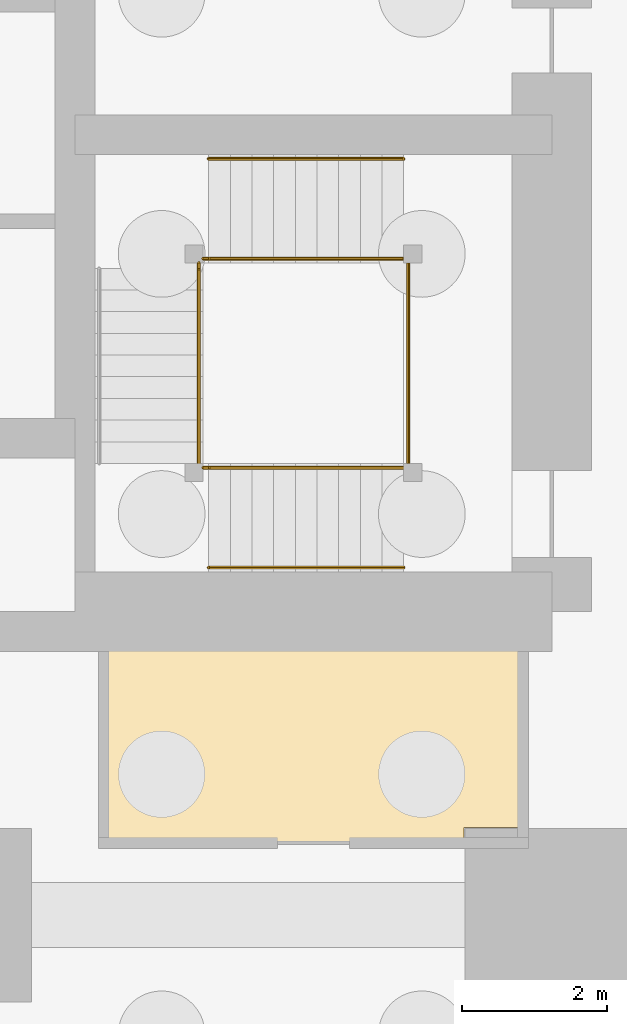
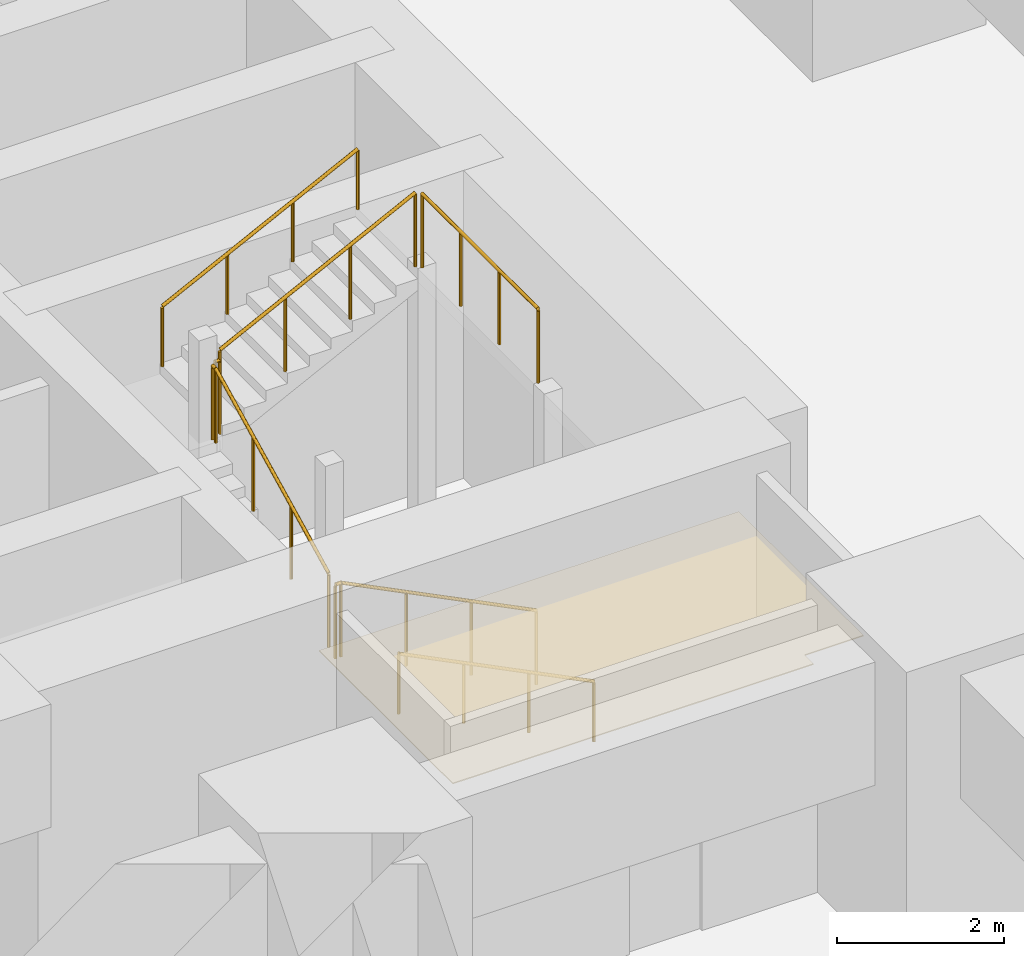
# One storey, part 15 of 28: 9 railings, 1 covering.
"""IFC4 building model written with IfcOpenShell, lengths in metres."""

from ifc_helpers import new_model, si_unit, direction, frame, origin, origin_2d, place, context, subcontext, project, spatial, polyline, circle, outline, extrude, material, layer, layer_set, type_object, element, save


model = new_model("IFC4")

# Units and contexts
model_context = context("Model", 3, precision=1e-05, world=origin(), true_north=direction((0.0, 1.0)))
body_context = subcontext(model_context, "Body", "Model", "MODEL_VIEW")
ifc_project = project(units=[si_unit("LENGTHUNIT", "METRE"), si_unit("AREAUNIT", "SQUARE_METRE"), si_unit("VOLUMEUNIT", "CUBIC_METRE"), si_unit("PLANEANGLEUNIT", "RADIAN"), si_unit("MASSUNIT", "GRAM", prefix="KILO")], contexts=[model_context])

# Site, building, storey
site_placement = place(None, origin())
site = spatial("IfcSite", under=ifc_project, at=site_placement, CompositionType="ELEMENT")
building_placement = place(site_placement, origin())
building = spatial("IfcBuilding", under=site, at=building_placement, Name="Rekha Terrace Tower", CompositionType="ELEMENT")
storey_placement = place(building_placement, frame((0.0, 0.0, -9.89990234375)))
storey = spatial("IfcBuildingStorey", under=building, at=storey_placement, Name="B-02", CompositionType="ELEMENT", Elevation=-9.89990234375)

# Covering
ifc_material_1 = material(Name="Fibre cement board", Category="finish")
ifc_layer = layer(ifc_material_1, 0.014892578125)
ifc_layer_set = layer_set([ifc_layer], Name="Fibre cement board")
covering_type = type_object("IfcCoveringType", Name="CL2 moisture-resistant board ceiling", PredefinedType="CEILING", material=ifc_layer_set)
covering_placement = place(storey_placement, frame((0.0, 0.0, 3.284912109375)))
element("IfcCovering", 1, at=covering_placement, inside=storey, type_object=covering_type, Name="Ceiling B-02-WCM2", PredefinedType="CEILING", context=body_context, shape_type="SweptSolid", body=[
    extrude(outline(polyline([(50.0, 21.0), (44.199951171875, 21.0), (44.199951171875, 17.800048828125), (49.18505859375, 17.800048828125), (49.18505859375, 18.014892578125), (50.0, 18.014892578125), (50.0, 21.0)])), origin(), (0.0, 0.0, 1.0), 0.014892578125),
])

# Railings
ifc_material_2 = material(Name="Stainless steel balustrade", Category="steel")
railing_type_1 = type_object("IfcRailingType", Name="GR1 1100 stair guard", PredefinedType="GUARDRAIL", material=ifc_material_2)
railing_1_placement = place(storey_placement, frame((48.35009765625, 22.989990234375, 0.14990234375)))
element("IfcRailing", 2, at=railing_1_placement, inside=storey, type_object=railing_type_1, Name="Guard ST3 B-02 flight 1", PredefinedType="GUARDRAIL", context=body_context, shape_type="SweptSolid", body=[
    extrude(circle(Radius=0.02392578125, at=origin_2d()), frame((0.0, 0.0, 1.076171875), z_axis=(-0.894427191, 0.0, 0.4472135955), x_axis=(0.0, -1.0, 0.0)), (0.0, 0.0, 1.0), 3.018798828125),
    extrude(circle(Radius=0.02099609375, at=origin_2d()), origin(), (0.0, 0.0, 1.0), 1.052001953125),
    extrude(circle(Radius=0.02099609375, at=origin_2d()), frame((-0.900146484375, 0.0, 0.449951171875)), (0.0, 0.0, 1.0), 1.052001953125),
    extrude(circle(Radius=0.02099609375, at=origin_2d()), frame((-1.800048828125, 0.0, 0.900146484375)), (0.0, 0.0, 1.0), 1.052001953125),
    extrude(circle(Radius=0.02099609375, at=origin_2d()), frame((-2.7001953125, 0.0, 1.35009765625)), (0.0, 0.0, 1.0), 1.052001953125),
])
railing_2_placement = place(storey_placement, frame((45.514892578125, 23.050048828125, 1.64990234375)))
element("IfcRailing", 3, at=railing_2_placement, inside=storey, type_object=railing_type_1, Name="Guard ST3 B-02 flight 2", PredefinedType="GUARDRAIL", context=body_context, shape_type="SweptSolid", body=[
    extrude(circle(Radius=0.02392578125, at=origin_2d()), frame((0.0, 0.0, 1.076171875), z_axis=(0.0, 0.894411015155, 0.447245945728), x_axis=(-1.0, 0.0, 0.0)), (0.0, 0.0, 1.0), 3.018798828125),
    extrude(circle(Radius=0.02099609375, at=origin_2d()), origin(), (0.0, 0.0, 1.0), 1.052001953125),
    extrude(circle(Radius=0.02099609375, at=origin_2d()), frame((0.0, 0.89990234375, 0.449951171875)), (0.0, 0.0, 1.0), 1.052001953125),
    extrude(circle(Radius=0.02099609375, at=origin_2d()), frame((0.0, 1.800048828125, 0.900146484375)), (0.0, 0.0, 1.0), 1.052001953125),
    extrude(circle(Radius=0.02099609375, at=origin_2d()), frame((0.0, 2.699951171875, 1.35009765625)), (0.0, 0.0, 1.0), 1.052001953125),
])
railing_3_placement = place(storey_placement, frame((45.64990234375, 25.885009765625, 3.14990234375)))
element("IfcRailing", 4, at=railing_3_placement, inside=storey, type_object=railing_type_1, Name="Guard ST3 B-02 flight 3", PredefinedType="GUARDRAIL", context=body_context, shape_type="SweptSolid", body=[
    extrude(circle(Radius=0.02392578125, at=origin_2d()), frame((0.0, 0.0, 1.076171875), z_axis=(0.894427191, 0.0, 0.4472135955), x_axis=(0.0, 1.0, 0.0)), (0.0, 0.0, 1.0), 3.018798828125),
    extrude(circle(Radius=0.02099609375, at=origin_2d()), origin(), (0.0, 0.0, 1.0), 1.052001953125),
    extrude(circle(Radius=0.02099609375, at=origin_2d()), frame((0.900146484375, 0.0, 0.449951171875)), (0.0, 0.0, 1.0), 1.052001953125),
    extrude(circle(Radius=0.02099609375, at=origin_2d()), frame((1.800048828125, 0.0, 0.900146484375)), (0.0, 0.0, 1.0), 1.052001953125),
    extrude(circle(Radius=0.02099609375, at=origin_2d()), frame((2.7001953125, 0.0, 1.35009765625)), (0.0, 0.0, 1.0), 1.052001953125),
])
railing_4_placement = place(storey_placement, frame((45.64990234375, 22.989990234375, 1.5)))
element("IfcRailing", 5, at=railing_4_placement, inside=storey, type_object=railing_type_1, Name="Guard ST3 B-02 landing 1", PredefinedType="GUARDRAIL", context=body_context, shape_type="SweptSolid", body=[
    extrude(circle(Radius=0.02392578125, at=origin_2d()), frame((0.0, 0.0, 1.076171875), z_axis=(-1.0, 0.0, 0.0), x_axis=(0.0, -1.0, 0.0)), (0.0, 0.0, 1.0), 0.074951171875),
    extrude(circle(Radius=0.02099609375, at=origin_2d()), origin(), (0.0, 0.0, 1.0), 1.052001953125),
    extrude(circle(Radius=0.02099609375, at=origin_2d()), frame((-0.074951171875, 0.0, 0.0)), (0.0, 0.0, 1.0), 1.052001953125),
])
railing_5_placement = place(storey_placement, frame((45.514892578125, 25.75, 3.0)))
element("IfcRailing", 6, at=railing_5_placement, inside=storey, type_object=railing_type_1, Name="Guard ST3 B-02 landing 2", PredefinedType="GUARDRAIL", context=body_context, shape_type="SweptSolid", body=[
    extrude(circle(Radius=0.02392578125, at=origin_2d()), frame((0.0, 0.0, 1.076171875), z_axis=(0.0, 1.0, 0.0), x_axis=(-1.0, 0.0, 0.0)), (0.0, 0.0, 1.0), 0.074951171875),
    extrude(circle(Radius=0.02099609375, at=origin_2d()), origin(), (0.0, 0.0, 1.0), 1.052001953125),
    extrude(circle(Radius=0.02099609375, at=origin_2d()), frame((0.0, 0.074951171875, 0.0)), (0.0, 0.0, 1.0), 1.052001953125),
])
railing_6_placement = place(storey_placement, frame((45.64990234375, 25.885009765625, 3.0)))
element("IfcRailing", 7, at=railing_6_placement, inside=storey, type_object=railing_type_1, Name="Guard ST3 B-02 landing 3", PredefinedType="GUARDRAIL", context=body_context, shape_type="SweptSolid", body=[
    extrude(circle(Radius=0.02392578125, at=origin_2d()), frame((0.0, 0.0, 1.076171875), z_axis=(-1.0, 0.0, 0.0), x_axis=(0.0, -1.0, 0.0)), (0.0, 0.0, 1.0), 0.074951171875),
    extrude(circle(Radius=0.02099609375, at=origin_2d()), origin(), (0.0, 0.0, 1.0), 1.052001953125),
    extrude(circle(Radius=0.02099609375, at=origin_2d()), frame((-0.074951171875, 0.0, 0.0)), (0.0, 0.0, 1.0), 1.052001953125),
])
railing_7_placement = place(storey_placement, frame((48.409912109375, 23.050048828125, 4.5)))
element("IfcRailing", 8, at=railing_7_placement, inside=storey, type_object=railing_type_1, Name="Guard ST3 B-02 landing 4", PredefinedType="GUARDRAIL", context=body_context, shape_type="SweptSolid", body=[
    extrude(circle(Radius=0.02392578125, at=origin_2d()), frame((0.0, 0.0, 1.076171875), z_axis=(0.0, 1.0, 0.0), x_axis=(-1.0, 0.0, 0.0)), (0.0, 0.0, 1.0), 2.77490234375),
    extrude(circle(Radius=0.02099609375, at=origin_2d()), origin(), (0.0, 0.0, 1.0), 1.052001953125),
    extrude(circle(Radius=0.02099609375, at=origin_2d()), frame((0.0, 0.925048828125, 0.0)), (0.0, 0.0, 1.0), 1.052001953125),
    extrude(circle(Radius=0.02099609375, at=origin_2d()), frame((0.0, 1.849853515625, 0.0)), (0.0, 0.0, 1.0), 1.052001953125),
    extrude(circle(Radius=0.02099609375, at=origin_2d()), frame((0.0, 2.77490234375, 0.0)), (0.0, 0.0, 1.0), 1.052001953125),
])
ifc_material_3 = material(Name="Stainless steel tube", Category="steel")
railing_type_2 = type_object("IfcRailingType", Name="HR1 900 stair handrail", PredefinedType="HANDRAIL", material=ifc_material_3)
railing_8_placement = place(storey_placement, frame((48.35009765625, 21.610107421875, 0.14990234375)))
element("IfcRailing", 9, at=railing_8_placement, inside=storey, type_object=railing_type_2, Name="Handrail ST3 B-02 flight 1", PredefinedType="HANDRAIL", context=body_context, shape_type="SweptSolid", body=[
    extrude(circle(Radius=0.02392578125, at=origin_2d()), frame((0.0, 0.0, 0.8759765625), z_axis=(-0.894427191, 0.0, 0.4472135955), x_axis=(0.0, -1.0, 0.0)), (0.0, 0.0, 1.0), 3.018798828125),
    extrude(circle(Radius=0.02099609375, at=origin_2d()), origin(), (0.0, 0.0, 1.0), 0.851806640625),
    extrude(circle(Radius=0.02099609375, at=origin_2d()), frame((-0.900146484375, 0.0, 0.449951171875)), (0.0, 0.0, 1.0), 0.851806640625),
    extrude(circle(Radius=0.02099609375, at=origin_2d()), frame((-1.800048828125, 0.0, 0.900146484375)), (0.0, 0.0, 1.0), 0.851806640625),
    extrude(circle(Radius=0.02099609375, at=origin_2d()), frame((-2.7001953125, 0.0, 1.35009765625)), (0.0, 0.0, 1.0), 0.851806640625),
])
railing_9_placement = place(storey_placement, frame((45.64990234375, 27.264892578125, 3.14990234375)))
element("IfcRailing", 10, at=railing_9_placement, inside=storey, type_object=railing_type_2, Name="Handrail ST3 B-02 flight 3", PredefinedType="HANDRAIL", context=body_context, shape_type="SweptSolid", body=[
    extrude(circle(Radius=0.02392578125, at=origin_2d()), frame((0.0, 0.0, 0.8759765625), z_axis=(0.894427191, 0.0, 0.4472135955), x_axis=(0.0, 1.0, 0.0)), (0.0, 0.0, 1.0), 3.018798828125),
    extrude(circle(Radius=0.02099609375, at=origin_2d()), origin(), (0.0, 0.0, 1.0), 0.851806640625),
    extrude(circle(Radius=0.02099609375, at=origin_2d()), frame((0.900146484375, 0.0, 0.449951171875)), (0.0, 0.0, 1.0), 0.851806640625),
    extrude(circle(Radius=0.02099609375, at=origin_2d()), frame((1.800048828125, 0.0, 0.900146484375)), (0.0, 0.0, 1.0), 0.851806640625),
    extrude(circle(Radius=0.02099609375, at=origin_2d()), frame((2.7001953125, 0.0, 1.35009765625)), (0.0, 0.0, 1.0), 0.851806640625),
])

save(model, "model.ifc")
